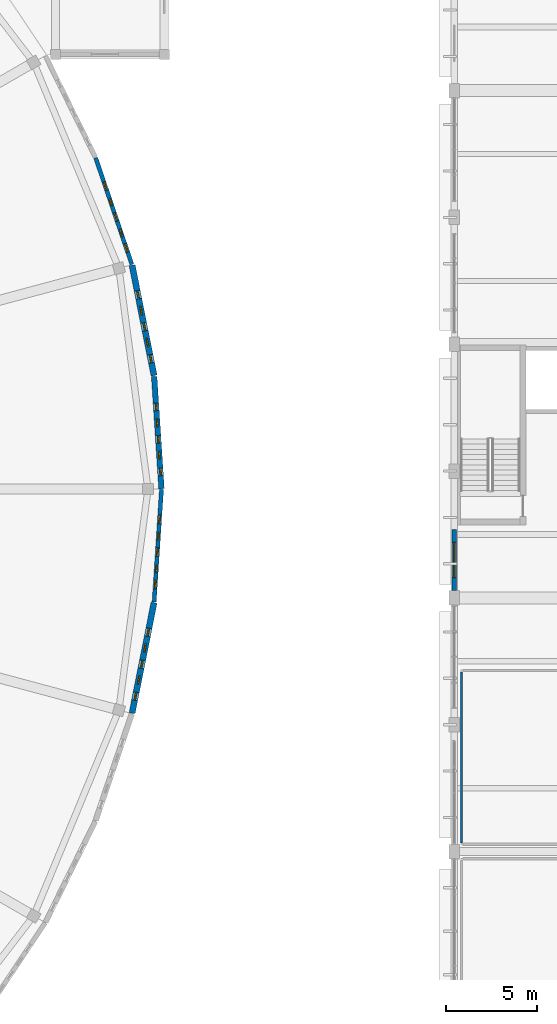
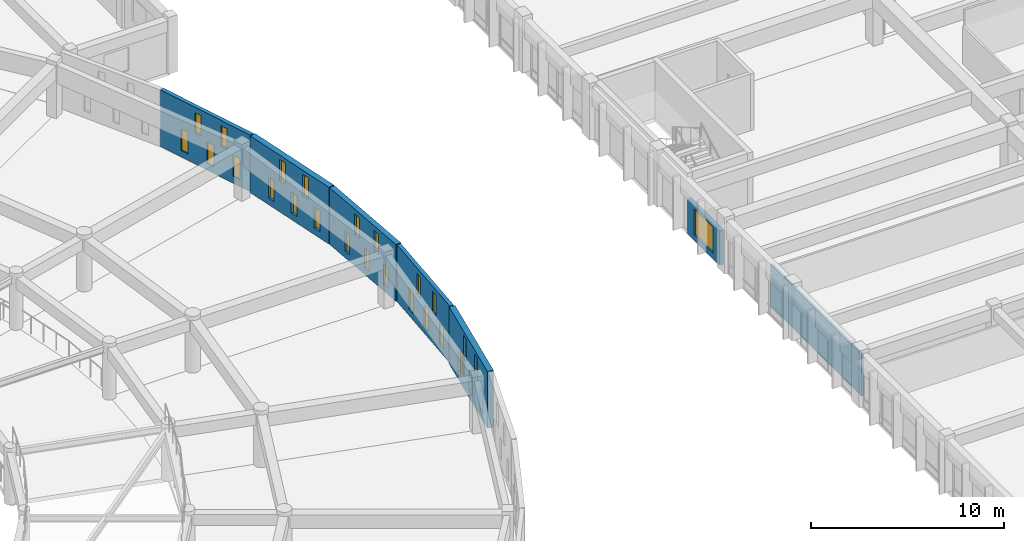
# One storey, part 112 of 155: 26 windows, 7 walls, 26 openings.
"""IFC4 building model written with IfcOpenShell, lengths in metres."""

import ifcopenshell
import ifcopenshell.guid

model = None  # the IFC model being written
_history = None  # IfcOwnerHistory: only IFC2X3 demands one
_inside = {}  # id of a spatial element -> (the spatial element, [elements in it])
_under = {}  # id of a project, library or spatial element -> (it, [spatial elements below it])
_declared = {}  # id of a project -> (the project, [libraries it declares])
_typed = {}  # id of a type object -> (the type object, [elements of that type])
_made_of = {}  # id of a material, layer set ... -> (it, [elements and type objects made of it])


def new_model(schema):
    """Start an empty IFC model of exactly this schema.

    Asked for "IFC4X3", IfcOpenShell would pick the latest addendum, in which some entities
    have other attributes; the version numbers below select the first issue.
    IFC2X3 requires an IfcOwnerHistory on every rooted entity: one is made here for all.
    """
    global model, _history
    if schema == "IFC4X3":
        model = ifcopenshell.file(schema_version=(4, 3, 0, 0))
    else:
        model = ifcopenshell.file(schema=schema)
    _inside.clear()
    _under.clear()
    _declared.clear()
    _typed.clear()
    _made_of.clear()
    _history = None
    if model.schema == "IFC2X3":
        org = make("IfcOrganization", Name="unknown")
        user = make(
            "IfcPersonAndOrganization",
            ThePerson=make("IfcPerson", FamilyName="unknown"),
            TheOrganization=org,
        )
        app = make(
            "IfcApplication",
            ApplicationDeveloper=org,
            Version="unknown",
            ApplicationFullName="unknown",
            ApplicationIdentifier="unknown",
        )
        _history = make(
            "IfcOwnerHistory",
            OwningUser=user,
            OwningApplication=app,
            ChangeAction="ADDED",
            CreationDate=0,
        )
    return model


def make(cls, **values):
    """One entity of the class cls with the attributes given. An attribute that is None is left unset."""
    return model.create_entity(
        cls, **{name: value for name, value in values.items() if value is not None}
    )


def rooted(cls, **values):
    """An entity with a GlobalId (a new one), such as an element, a storey or a relation."""
    return make(cls, GlobalId=ifcopenshell.guid.new(), OwnerHistory=_history, **values)


def si_unit(unit_type, name, prefix=None):
    """IfcSIUnit, for example si_unit("LENGTHUNIT", "METRE", prefix="MILLI")."""
    return make("IfcSIUnit", UnitType=unit_type, Prefix=prefix, Name=name)


def assignment(units):
    """IfcUnitAssignment: the units of a project."""
    return None if units is None else make("IfcUnitAssignment", Units=units)


def point(xyz):
    """IfcCartesianPoint."""
    return None if xyz is None else make("IfcCartesianPoint", Coordinates=xyz)


def direction(xyz):
    """IfcDirection."""
    return None if xyz is None else make("IfcDirection", DirectionRatios=xyz)


def frame(location, z_axis=None, x_axis=None):
    """IfcAxis2Placement3D, a coordinate frame: its origin and axes. An axis left out is left unset."""
    return make(
        "IfcAxis2Placement3D",
        Location=point(location),
        Axis=direction(z_axis),
        RefDirection=direction(x_axis),
    )


def frame_2d(location, x_axis=None):
    """IfcAxis2Placement2D, a coordinate frame in the plane: its origin and x axis."""
    return make(
        "IfcAxis2Placement2D", Location=point(location), RefDirection=direction(x_axis)
    )


def origin():
    """The frame at (0, 0, 0) with its axes left unset."""
    return frame((0.0, 0.0, 0.0))


def place(relative_to, where):
    """IfcLocalPlacement: puts the frame where relative to a parent placement (None: the world)."""
    return make(
        "IfcLocalPlacement", PlacementRelTo=relative_to, RelativePlacement=where
    )


def context(
    kind, dimensions, precision=None, world=None, true_north=None, identifier=None
):
    """IfcGeometricRepresentationContext, for example the 3D "Model" context."""
    return make(
        "IfcGeometricRepresentationContext",
        ContextIdentifier=identifier,
        ContextType=kind,
        CoordinateSpaceDimension=dimensions,
        Precision=precision,
        WorldCoordinateSystem=world,
        TrueNorth=true_north,
    )


def subcontext(parent, identifier, kind, view, scale=None):
    """IfcGeometricRepresentationSubContext, for example "Body" below "Model"."""
    return make(
        "IfcGeometricRepresentationSubContext",
        ContextIdentifier=identifier,
        ContextType=kind,
        ParentContext=parent,
        TargetScale=scale,
        TargetView=view,
    )


def project(units=None, contexts=None):
    """IfcProject with its units and contexts."""
    return rooted(
        "IfcProject",
        Name="project",
        RepresentationContexts=contexts,
        UnitsInContext=assignment(units),
    )


def spatial(cls, under=None, at=None, **own):
    """A site, building, storey or space (cls), placed at a placement, below another one or the project."""
    s = rooted(cls, ObjectPlacement=at, **own)
    if under is not None:
        _under.setdefault(under.id(), (under, []))[1].append(s)
    return s


def profile(cls, at=None, kind="AREA", **sizes):
    """A parametric profile (cls). Its sizes go by their IFC names, for example OverallWidth=200.0."""
    return make(cls, ProfileType=kind, Position=at, **sizes)


def rectangle(**sizes):
    """IfcRectangleProfileDef."""
    return profile("IfcRectangleProfileDef", **sizes)


def extrude(swept, where, along, depth):
    """IfcExtrudedAreaSolid: the profile swept, set in the frame where, extruded along a direction by depth."""
    return make(
        "IfcExtrudedAreaSolid",
        SweptArea=swept,
        Position=where,
        ExtrudedDirection=direction(along),
        Depth=depth,
    )


def shape(context_of_items, identifier, shape_type, items):
    """IfcShapeRepresentation: the items that make up one representation, for example the "Body"."""
    return make(
        "IfcShapeRepresentation",
        ContextOfItems=context_of_items,
        RepresentationIdentifier=identifier,
        RepresentationType=shape_type,
        Items=items,
    )


def material(Name=None, Category=None):
    """IfcMaterial."""
    return make("IfcMaterial", Name=Name, Category=Category)


def layer(
    of_material, thickness, ventilated=None, Name=None, Category=None, Priority=None
):
    """IfcMaterialLayer: one layer of a wall or slab, of a material (None: an air gap)."""
    return make(
        "IfcMaterialLayer",
        Material=of_material,
        LayerThickness=thickness,
        IsVentilated=ventilated,
        Name=Name,
        Category=Category,
        Priority=Priority,
    )


def layer_set(layers, Name=None):
    """IfcMaterialLayerSet."""
    return make("IfcMaterialLayerSet", MaterialLayers=layers, LayerSetName=Name)


def made_of(thing, what):
    """Note that an element or type object is made of a material, layer set ...; save() writes the relation."""
    if what is not None:
        _made_of.setdefault(what.id(), (what, []))[1].append(thing)
    return thing


def type_object(cls, material=None, **own):
    """A type object (cls), such as IfcWallType, which elements share."""
    return made_of(rooted(cls, **own), material)


def element(
    cls,
    number,
    at=None,
    inside=None,
    cuts=None,
    type_object=None,
    material=None,
    context=None,
    identifier="Body",
    shape_type=None,
    held_by="IfcProductDefinitionShape",
    body=None,
    shapes=None,
    **own,
):
    """One element of the class cls, such as IfcWall. Its Tag is "e" and its number.

    at: its placement. inside: the storey or other place that contains it. cuts: it is an
    opening in that element (IfcRelVoidsElement). A single representation is given by context,
    identifier, shape_type and body (its items); several are given by shapes. held_by: the class
    of the entity that holds the representations. save() writes the other relations.
    """
    e = rooted(cls, Tag="e%d" % number, ObjectPlacement=at, **own)
    if body is not None:
        shapes = [shape(context, identifier, shape_type, body)]
    if shapes is not None:
        e.Representation = make(held_by, Representations=shapes)
    if inside is not None:
        _inside.setdefault(inside.id(), (inside, []))[1].append(e)
    if cuts is not None:
        rooted(
            "IfcRelVoidsElement", RelatingBuildingElement=cuts, RelatedOpeningElement=e
        )
    if type_object is not None:
        _typed.setdefault(type_object.id(), (type_object, []))[1].append(e)
    return made_of(e, material)


def fill(opening, filler):
    """IfcRelFillsElement: the door or window that sits in an opening."""
    return rooted(
        "IfcRelFillsElement",
        RelatingOpeningElement=opening,
        RelatedBuildingElement=filler,
    )


def aggregate(whole, parts):
    """IfcRelAggregates: a whole, such as a stair, and the parts it consists of."""
    return rooted("IfcRelAggregates", RelatingObject=whole, RelatedObjects=parts)


def save(model, path):
    """Write the relations noted so far, then the file.

    IfcRelAggregates (storeys below a building ...), IfcRelContainedInSpatialStructure (elements
    in a storey), IfcRelDefinesByType, IfcRelAssociatesMaterial and IfcRelDeclares: one each for
    every whole, place, type object, material and project.
    """
    for whole, parts in _under.values():
        aggregate(whole, parts)
    for where, things in _inside.values():
        rooted(
            "IfcRelContainedInSpatialStructure",
            RelatedElements=things,
            RelatingStructure=where,
        )
    for kind, things in _typed.values():
        rooted("IfcRelDefinesByType", RelatedObjects=things, RelatingType=kind)
    for what, things in _made_of.values():
        rooted("IfcRelAssociatesMaterial", RelatedObjects=things, RelatingMaterial=what)
    for by, libraries in _declared.values():
        rooted("IfcRelDeclares", RelatingContext=by, RelatedDefinitions=libraries)
    model.write(path)


model = new_model("IFC4")

# Units and contexts
model_context = context("Model", 3, precision=1e-05, world=origin(), true_north=direction((0.0, 1.0)))
body_context = subcontext(model_context, "Body", "Model", "MODEL_VIEW")
ifc_project = project(units=[si_unit("LENGTHUNIT", "METRE"), si_unit("AREAUNIT", "SQUARE_METRE"), si_unit("VOLUMEUNIT", "CUBIC_METRE"), si_unit("PLANEANGLEUNIT", "RADIAN"), si_unit("MASSUNIT", "GRAM", prefix="KILO")], contexts=[model_context])

# Site, building, storey
site_placement = place(None, origin())
site = spatial("IfcSite", under=ifc_project, at=site_placement, CompositionType="ELEMENT")
building_placement = place(site_placement, origin())
building = spatial("IfcBuilding", under=site, at=building_placement, Name="Larkveld Mobility Hub", CompositionType="ELEMENT")
storey_placement = place(building_placement, frame((0.0, 0.0, 8.39990234375)))
storey = spatial("IfcBuildingStorey", under=building, at=storey_placement, Name="L02", CompositionType="ELEMENT", Elevation=8.39990234375)

# Wall, openings, windows
ifc_material_1 = material(Name="Fired clay brick 25 MPa", Category="masonry")
ifc_layer_1 = layer(ifc_material_1, 0.22998046875, Name="Fired clay brick 25 MPa", Category="masonry")
ifc_layer_set_1 = layer_set([ifc_layer_1], Name="Fired clay brick 25 MPa")
wall_type_1 = type_object("IfcWallType", Name="WL-BRK-230", PredefinedType="USERDEFINED", material=ifc_layer_set_1)
wall_1_placement = place(storey_placement, frame((94.2119140625, 60.406982421875, 0.0), z_axis=(0.0, 0.0, 1.0), x_axis=(-0.321364960579, 0.946955417172, 0.0)))
wall_1 = element("IfcWall", 1, at=wall_1_placement, inside=storey, type_object=wall_type_1, Name="Drum Woven Open-Bond Brick Chord L02-0095", ObjectType="PERFORATED BRICK SCREEN", PredefinedType="USERDEFINED", context=body_context, shape_type="SweptSolid", body=[
    extrude(rectangle(XDim=6.21044921875, YDim=0.22998046875, at=frame_2d((3.105224609375, 0.0))), origin(), (0.0, 0.0, 1.0), 3.60009765625),
])
opening_1_placement = place(wall_1_placement, frame((0.719970703125, 0.0, 0.419921875)))
opening_1 = element("IfcOpeningElement", 2, at=opening_1_placement, cuts=wall_1, Name="Opening W03", PredefinedType="OPENING", context=body_context, shape_type="SweptSolid", body=[
    extrude(rectangle(XDim=0.47998046875, YDim=1.360107421875, at=frame_2d((0.239990234375, 0.68017578125))), frame((0.0, 0.125, 0.0), z_axis=(0.0, -1.0, 0.0), x_axis=(1.0, 0.0, 0.0)), (0.0, 0.0, 1.0), 0.25),
])
opening_2_placement = place(wall_1_placement, frame((2.52001953125, 0.0, 0.419921875)))
opening_2 = element("IfcOpeningElement", 3, at=opening_2_placement, cuts=wall_1, Name="Opening W03", PredefinedType="OPENING", context=body_context, shape_type="SweptSolid", body=[
    extrude(rectangle(XDim=0.47998046875, YDim=1.360107421875, at=frame_2d((0.239990234375, 0.68017578125))), frame((0.0, 0.125, 0.0), z_axis=(0.0, -1.0, 0.0), x_axis=(1.0, 0.0, 0.0)), (0.0, 0.0, 1.0), 0.25),
])
opening_3_placement = place(wall_1_placement, frame((4.320068359375, 0.0, 0.419921875)))
opening_3 = element("IfcOpeningElement", 4, at=opening_3_placement, cuts=wall_1, Name="Opening W03", PredefinedType="OPENING", context=body_context, shape_type="SweptSolid", body=[
    extrude(rectangle(XDim=0.47998046875, YDim=1.360107421875, at=frame_2d((0.239990234375, 0.68017578125))), frame((0.0, 0.125, 0.0), z_axis=(0.0, -1.0, 0.0), x_axis=(1.0, 0.0, 0.0)), (0.0, 0.0, 1.0), 0.25),
])
opening_4_placement = place(wall_1_placement, frame((1.6201171875, 0.0, 1.97998046875)))
opening_4 = element("IfcOpeningElement", 5, at=opening_4_placement, cuts=wall_1, Name="Opening W01", PredefinedType="OPENING", context=body_context, shape_type="SweptSolid", body=[
    extrude(rectangle(XDim=0.419921875, YDim=1.280029296875, at=frame_2d((0.2099609375, 0.64013671875))), frame((0.0, 0.125, 0.0), z_axis=(0.0, -1.0, 0.0), x_axis=(1.0, 0.0, 0.0)), (0.0, 0.0, 1.0), 0.25),
])
opening_5_placement = place(wall_1_placement, frame((3.419921875, 0.0, 1.97998046875)))
opening_5 = element("IfcOpeningElement", 6, at=opening_5_placement, cuts=wall_1, Name="Opening W01", PredefinedType="OPENING", context=body_context, shape_type="SweptSolid", body=[
    extrude(rectangle(XDim=0.419921875, YDim=1.280029296875, at=frame_2d((0.2099609375, 0.64013671875))), frame((0.0, 0.125, 0.0), z_axis=(0.0, -1.0, 0.0), x_axis=(1.0, 0.0, 0.0)), (0.0, 0.0, 1.0), 0.25),
])
ifc_material_2 = material(Name="Extruded aluminium ventilation grille", Category="aluminium")
window_type_1 = type_object("IfcWindowType", Name="WN-VENT-01", PartitioningType="SINGLE_PANEL", PredefinedType="WINDOW", material=ifc_material_2)
window_1_placement = place(opening_4_placement, origin())
window_1 = element("IfcWindow", 7, at=window_1_placement, inside=storey, type_object=window_type_1, Name="Window W01 (0464)", OverallHeight=1.280029296875, OverallWidth=0.419921875, PartitioningType="SINGLE_PANEL", PredefinedType="WINDOW", context=body_context, shape_type="SweptSolid", body=[
    extrude(rectangle(XDim=0.419921875, YDim=1.280029296875, at=frame_2d((0.2099609375, 0.64013671875))), frame((0.0, 0.030029296875, 0.0), z_axis=(0.0, -1.0, 0.0), x_axis=(1.0, 0.0, 0.0)), (0.0, 0.0, 1.0), 0.06005859375),
])
fill(opening_4, window_1)
window_2_placement = place(opening_5_placement, origin())
window_2 = element("IfcWindow", 8, at=window_2_placement, inside=storey, type_object=window_type_1, Name="Window W01 (0465)", OverallHeight=1.280029296875, OverallWidth=0.419921875, PartitioningType="SINGLE_PANEL", PredefinedType="WINDOW", context=body_context, shape_type="SweptSolid", body=[
    extrude(rectangle(XDim=0.419921875, YDim=1.280029296875, at=frame_2d((0.2099609375, 0.64013671875))), frame((0.0, 0.030029296875, 0.0), z_axis=(0.0, -1.0, 0.0), x_axis=(1.0, 0.0, 0.0)), (0.0, 0.0, 1.0), 0.06005859375),
])
fill(opening_5, window_2)
window_type_2 = type_object("IfcWindowType", Name="WN-VENT-03", PartitioningType="SINGLE_PANEL", PredefinedType="WINDOW", material=ifc_material_2)
window_3_placement = place(opening_1_placement, origin())
window_3 = element("IfcWindow", 9, at=window_3_placement, inside=storey, type_object=window_type_2, Name="Window W03 (0461)", OverallHeight=1.360107421875, OverallWidth=0.47998046875, PartitioningType="SINGLE_PANEL", PredefinedType="WINDOW", context=body_context, shape_type="SweptSolid", body=[
    extrude(rectangle(XDim=0.47998046875, YDim=1.360107421875, at=frame_2d((0.239990234375, 0.68017578125))), frame((0.0, 0.030029296875, 0.0), z_axis=(0.0, -1.0, 0.0), x_axis=(1.0, 0.0, 0.0)), (0.0, 0.0, 1.0), 0.06005859375),
])
fill(opening_1, window_3)
window_4_placement = place(opening_2_placement, origin())
window_4 = element("IfcWindow", 10, at=window_4_placement, inside=storey, type_object=window_type_2, Name="Window W03 (0462)", OverallHeight=1.360107421875, OverallWidth=0.47998046875, PartitioningType="SINGLE_PANEL", PredefinedType="WINDOW", context=body_context, shape_type="SweptSolid", body=[
    extrude(rectangle(XDim=0.47998046875, YDim=1.360107421875, at=frame_2d((0.239990234375, 0.68017578125))), frame((0.0, 0.030029296875, 0.0), z_axis=(0.0, -1.0, 0.0), x_axis=(1.0, 0.0, 0.0)), (0.0, 0.0, 1.0), 0.06005859375),
])
fill(opening_2, window_4)
window_5_placement = place(opening_3_placement, origin())
window_5 = element("IfcWindow", 11, at=window_5_placement, inside=storey, type_object=window_type_2, Name="Window W03 (0463)", OverallHeight=1.360107421875, OverallWidth=0.47998046875, PartitioningType="SINGLE_PANEL", PredefinedType="WINDOW", context=body_context, shape_type="SweptSolid", body=[
    extrude(rectangle(XDim=0.47998046875, YDim=1.360107421875, at=frame_2d((0.239990234375, 0.68017578125))), frame((0.0, 0.030029296875, 0.0), z_axis=(0.0, -1.0, 0.0), x_axis=(1.0, 0.0, 0.0)), (0.0, 0.0, 1.0), 0.06005859375),
])
fill(opening_3, window_5)

wall_2_placement = place(storey_placement, frame((95.443115234375, 41.778076171875, 0.0), z_axis=(0.0, 0.0, 1.0), x_axis=(0.065170180182, 0.997874164219, 0.0)))
wall_2 = element("IfcWall", 12, at=wall_2_placement, inside=storey, type_object=wall_type_1, Name="Drum Woven Open-Bond Brick Chord L02-0138", ObjectType="PERFORATED BRICK SCREEN", PredefinedType="USERDEFINED", context=body_context, shape_type="SweptSolid", body=[
    extrude(rectangle(XDim=6.211181640625, YDim=0.22998046875, at=frame_2d((3.10546875, 0.0))), origin(), (0.0, 0.0, 1.0), 3.60009765625),
])
opening_6_placement = place(wall_2_placement, frame((0.719970703125, 0.0, 0.419921875)))
opening_6 = element("IfcOpeningElement", 13, at=opening_6_placement, cuts=wall_2, Name="Opening W03", PredefinedType="OPENING", context=body_context, shape_type="SweptSolid", body=[
    extrude(rectangle(XDim=0.47998046875, YDim=1.360107421875, at=frame_2d((0.239990234375, 0.68017578125))), frame((0.0, 0.125, 0.0), z_axis=(0.0, -1.0, 0.0), x_axis=(1.0, 0.0, 0.0)), (0.0, 0.0, 1.0), 0.25),
])
opening_7_placement = place(wall_2_placement, frame((2.52001953125, 0.0, 0.419921875)))
opening_7 = element("IfcOpeningElement", 14, at=opening_7_placement, cuts=wall_2, Name="Opening W03", PredefinedType="OPENING", context=body_context, shape_type="SweptSolid", body=[
    extrude(rectangle(XDim=0.47998046875, YDim=1.360107421875, at=frame_2d((0.239990234375, 0.68017578125))), frame((0.0, 0.125, 0.0), z_axis=(0.0, -1.0, 0.0), x_axis=(1.0, 0.0, 0.0)), (0.0, 0.0, 1.0), 0.25),
])
opening_8_placement = place(wall_2_placement, frame((4.320068359375, 0.0, 0.419921875)))
opening_8 = element("IfcOpeningElement", 15, at=opening_8_placement, cuts=wall_2, Name="Opening W03", PredefinedType="OPENING", context=body_context, shape_type="SweptSolid", body=[
    extrude(rectangle(XDim=0.47998046875, YDim=1.360107421875, at=frame_2d((0.239990234375, 0.68017578125))), frame((0.0, 0.125, 0.0), z_axis=(0.0, -1.0, 0.0), x_axis=(1.0, 0.0, 0.0)), (0.0, 0.0, 1.0), 0.25),
])
opening_9_placement = place(wall_2_placement, frame((1.6201171875, 0.0, 1.97998046875)))
opening_9 = element("IfcOpeningElement", 16, at=opening_9_placement, cuts=wall_2, Name="Opening W01", PredefinedType="OPENING", context=body_context, shape_type="SweptSolid", body=[
    extrude(rectangle(XDim=0.419921875, YDim=1.280029296875, at=frame_2d((0.2099609375, 0.64013671875))), frame((0.0, 0.125, 0.0), z_axis=(0.0, -1.0, 0.0), x_axis=(1.0, 0.0, 0.0)), (0.0, 0.0, 1.0), 0.25),
])
opening_10_placement = place(wall_2_placement, frame((3.419921875, 0.0, 1.97998046875)))
opening_10 = element("IfcOpeningElement", 17, at=opening_10_placement, cuts=wall_2, Name="Opening W01", PredefinedType="OPENING", context=body_context, shape_type="SweptSolid", body=[
    extrude(rectangle(XDim=0.419921875, YDim=1.280029296875, at=frame_2d((0.2099609375, 0.64013671875))), frame((0.0, 0.125, 0.0), z_axis=(0.0, -1.0, 0.0), x_axis=(1.0, 0.0, 0.0)), (0.0, 0.0, 1.0), 0.25),
])
window_6_placement = place(opening_9_placement, origin())
window_6 = element("IfcWindow", 18, at=window_6_placement, inside=storey, type_object=window_type_1, Name="Window W01 (0679)", OverallHeight=1.280029296875, OverallWidth=0.419921875, PartitioningType="SINGLE_PANEL", PredefinedType="WINDOW", context=body_context, shape_type="SweptSolid", body=[
    extrude(rectangle(XDim=0.419921875, YDim=1.280029296875, at=frame_2d((0.2099609375, 0.64013671875))), frame((0.0, 0.030029296875, 0.0), z_axis=(0.0, -1.0, 0.0), x_axis=(1.0, 0.0, 0.0)), (0.0, 0.0, 1.0), 0.06005859375),
])
fill(opening_9, window_6)
window_7_placement = place(opening_10_placement, origin())
window_7 = element("IfcWindow", 19, at=window_7_placement, inside=storey, type_object=window_type_1, Name="Window W01 (0680)", OverallHeight=1.280029296875, OverallWidth=0.419921875, PartitioningType="SINGLE_PANEL", PredefinedType="WINDOW", context=body_context, shape_type="SweptSolid", body=[
    extrude(rectangle(XDim=0.419921875, YDim=1.280029296875, at=frame_2d((0.2099609375, 0.64013671875))), frame((0.0, 0.030029296875, 0.0), z_axis=(0.0, -1.0, 0.0), x_axis=(1.0, 0.0, 0.0)), (0.0, 0.0, 1.0), 0.06005859375),
])
fill(opening_10, window_7)
window_8_placement = place(opening_6_placement, origin())
window_8 = element("IfcWindow", 20, at=window_8_placement, inside=storey, type_object=window_type_2, Name="Window W03 (0676)", OverallHeight=1.360107421875, OverallWidth=0.47998046875, PartitioningType="SINGLE_PANEL", PredefinedType="WINDOW", context=body_context, shape_type="SweptSolid", body=[
    extrude(rectangle(XDim=0.47998046875, YDim=1.360107421875, at=frame_2d((0.239990234375, 0.68017578125))), frame((0.0, 0.030029296875, 0.0), z_axis=(0.0, -1.0, 0.0), x_axis=(1.0, 0.0, 0.0)), (0.0, 0.0, 1.0), 0.06005859375),
])
fill(opening_6, window_8)
window_9_placement = place(opening_7_placement, origin())
window_9 = element("IfcWindow", 21, at=window_9_placement, inside=storey, type_object=window_type_2, Name="Window W03 (0677)", OverallHeight=1.360107421875, OverallWidth=0.47998046875, PartitioningType="SINGLE_PANEL", PredefinedType="WINDOW", context=body_context, shape_type="SweptSolid", body=[
    extrude(rectangle(XDim=0.47998046875, YDim=1.360107421875, at=frame_2d((0.239990234375, 0.68017578125))), frame((0.0, 0.030029296875, 0.0), z_axis=(0.0, -1.0, 0.0), x_axis=(1.0, 0.0, 0.0)), (0.0, 0.0, 1.0), 0.06005859375),
])
fill(opening_7, window_9)
window_10_placement = place(opening_8_placement, origin())
window_10 = element("IfcWindow", 22, at=window_10_placement, inside=storey, type_object=window_type_2, Name="Window W03 (0678)", OverallHeight=1.360107421875, OverallWidth=0.47998046875, PartitioningType="SINGLE_PANEL", PredefinedType="WINDOW", context=body_context, shape_type="SweptSolid", body=[
    extrude(rectangle(XDim=0.47998046875, YDim=1.360107421875, at=frame_2d((0.239990234375, 0.68017578125))), frame((0.0, 0.030029296875, 0.0), z_axis=(0.0, -1.0, 0.0), x_axis=(1.0, 0.0, 0.0)), (0.0, 0.0, 1.0), 0.06005859375),
])
fill(opening_8, window_10)

ifc_layer_2 = layer(ifc_material_1, 0.31005859375, Name="Fired clay brick 25 MPa", Category="masonry")
ifc_layer_set_2 = layer_set([ifc_layer_2], Name="Fired clay brick 25 MPa")
wall_type_2 = type_object("IfcWallType", Name="WL-BRK-310", PredefinedType="USERDEFINED", material=ifc_layer_set_2)
wall_3_placement = place(storey_placement, frame((95.847900390625, 48.02392578125, 0.0), z_axis=(0.0, 0.0, 1.0), x_axis=(-0.065170180182, 0.997874164219, 0.0)))
wall_3 = element("IfcWall", 23, at=wall_3_placement, inside=storey, type_object=wall_type_2, Name="Drum Woven Open-Bond Brick Chord L02-0093", ObjectType="PERFORATED BRICK SCREEN", PredefinedType="USERDEFINED", context=body_context, shape_type="SweptSolid", body=[
    extrude(rectangle(XDim=6.211181640625, YDim=0.31005859375, at=frame_2d((3.10546875, 0.0))), origin(), (0.0, 0.0, 1.0), 3.60009765625),
])
opening_11_placement = place(wall_3_placement, frame((0.719970703125, 0.0, 0.419921875)))
opening_11 = element("IfcOpeningElement", 24, at=opening_11_placement, cuts=wall_3, Name="Opening W01", PredefinedType="OPENING", context=body_context, shape_type="SweptSolid", body=[
    extrude(rectangle(XDim=0.419921875, YDim=1.280029296875, at=frame_2d((0.2099609375, 0.64013671875))), frame((0.0, 0.1650390625, 0.0), z_axis=(0.0, -1.0, 0.0), x_axis=(1.0, 0.0, 0.0)), (0.0, 0.0, 1.0), 0.330078125),
])
opening_12_placement = place(wall_3_placement, frame((2.52001953125, 0.0, 0.419921875)))
opening_12 = element("IfcOpeningElement", 25, at=opening_12_placement, cuts=wall_3, Name="Opening W01", PredefinedType="OPENING", context=body_context, shape_type="SweptSolid", body=[
    extrude(rectangle(XDim=0.419921875, YDim=1.280029296875, at=frame_2d((0.2099609375, 0.64013671875))), frame((0.0, 0.1650390625, 0.0), z_axis=(0.0, -1.0, 0.0), x_axis=(1.0, 0.0, 0.0)), (0.0, 0.0, 1.0), 0.330078125),
])
opening_13_placement = place(wall_3_placement, frame((4.320068359375, 0.0, 0.419921875)))
opening_13 = element("IfcOpeningElement", 26, at=opening_13_placement, cuts=wall_3, Name="Opening W01", PredefinedType="OPENING", context=body_context, shape_type="SweptSolid", body=[
    extrude(rectangle(XDim=0.419921875, YDim=1.280029296875, at=frame_2d((0.2099609375, 0.64013671875))), frame((0.0, 0.1650390625, 0.0), z_axis=(0.0, -1.0, 0.0), x_axis=(1.0, 0.0, 0.0)), (0.0, 0.0, 1.0), 0.330078125),
])
opening_14_placement = place(wall_3_placement, frame((1.6201171875, 0.0, 1.97998046875)))
opening_14 = element("IfcOpeningElement", 27, at=opening_14_placement, cuts=wall_3, Name="Opening W02", PredefinedType="OPENING", context=body_context, shape_type="SweptSolid", body=[
    extrude(rectangle(XDim=0.449951171875, YDim=1.320068359375, at=frame_2d((0.22509765625, 0.66015625))), frame((0.0, 0.1650390625, 0.0), z_axis=(0.0, -1.0, 0.0), x_axis=(1.0, 0.0, 0.0)), (0.0, 0.0, 1.0), 0.330078125),
])
opening_15_placement = place(wall_3_placement, frame((3.419921875, 0.0, 1.97998046875)))
opening_15 = element("IfcOpeningElement", 28, at=opening_15_placement, cuts=wall_3, Name="Opening W02", PredefinedType="OPENING", context=body_context, shape_type="SweptSolid", body=[
    extrude(rectangle(XDim=0.449951171875, YDim=1.320068359375, at=frame_2d((0.22509765625, 0.66015625))), frame((0.0, 0.1650390625, 0.0), z_axis=(0.0, -1.0, 0.0), x_axis=(1.0, 0.0, 0.0)), (0.0, 0.0, 1.0), 0.330078125),
])
window_11_placement = place(opening_11_placement, origin())
window_11 = element("IfcWindow", 29, at=window_11_placement, inside=storey, type_object=window_type_1, Name="Window W01 (0451)", OverallHeight=1.280029296875, OverallWidth=0.419921875, PartitioningType="SINGLE_PANEL", PredefinedType="WINDOW", context=body_context, shape_type="SweptSolid", body=[
    extrude(rectangle(XDim=0.419921875, YDim=1.280029296875, at=frame_2d((0.2099609375, 0.64013671875))), frame((0.0, 0.030029296875, 0.0), z_axis=(0.0, -1.0, 0.0), x_axis=(1.0, 0.0, 0.0)), (0.0, 0.0, 1.0), 0.06005859375),
])
fill(opening_11, window_11)
window_12_placement = place(opening_12_placement, origin())
window_12 = element("IfcWindow", 30, at=window_12_placement, inside=storey, type_object=window_type_1, Name="Window W01 (0452)", OverallHeight=1.280029296875, OverallWidth=0.419921875, PartitioningType="SINGLE_PANEL", PredefinedType="WINDOW", context=body_context, shape_type="SweptSolid", body=[
    extrude(rectangle(XDim=0.419921875, YDim=1.280029296875, at=frame_2d((0.2099609375, 0.64013671875))), frame((0.0, 0.030029296875, 0.0), z_axis=(0.0, -1.0, 0.0), x_axis=(1.0, 0.0, 0.0)), (0.0, 0.0, 1.0), 0.06005859375),
])
fill(opening_12, window_12)
window_13_placement = place(opening_13_placement, origin())
window_13 = element("IfcWindow", 31, at=window_13_placement, inside=storey, type_object=window_type_1, Name="Window W01 (0453)", OverallHeight=1.280029296875, OverallWidth=0.419921875, PartitioningType="SINGLE_PANEL", PredefinedType="WINDOW", context=body_context, shape_type="SweptSolid", body=[
    extrude(rectangle(XDim=0.419921875, YDim=1.280029296875, at=frame_2d((0.2099609375, 0.64013671875))), frame((0.0, 0.030029296875, 0.0), z_axis=(0.0, -1.0, 0.0), x_axis=(1.0, 0.0, 0.0)), (0.0, 0.0, 1.0), 0.06005859375),
])
fill(opening_13, window_13)
window_type_3 = type_object("IfcWindowType", Name="WN-VENT-02", PartitioningType="SINGLE_PANEL", PredefinedType="WINDOW", material=ifc_material_2)
window_14_placement = place(opening_14_placement, origin())
window_14 = element("IfcWindow", 32, at=window_14_placement, inside=storey, type_object=window_type_3, Name="Window W02 (0454)", OverallHeight=1.320068359375, OverallWidth=0.449951171875, PartitioningType="SINGLE_PANEL", PredefinedType="WINDOW", context=body_context, shape_type="SweptSolid", body=[
    extrude(rectangle(XDim=0.449951171875, YDim=1.320068359375, at=frame_2d((0.22509765625, 0.66015625))), frame((0.0, 0.030029296875, 0.0), z_axis=(0.0, -1.0, 0.0), x_axis=(1.0, 0.0, 0.0)), (0.0, 0.0, 1.0), 0.06005859375),
])
fill(opening_14, window_14)
window_15_placement = place(opening_15_placement, origin())
window_15 = element("IfcWindow", 33, at=window_15_placement, inside=storey, type_object=window_type_3, Name="Window W02 (0455)", OverallHeight=1.320068359375, OverallWidth=0.449951171875, PartitioningType="SINGLE_PANEL", PredefinedType="WINDOW", context=body_context, shape_type="SweptSolid", body=[
    extrude(rectangle(XDim=0.449951171875, YDim=1.320068359375, at=frame_2d((0.22509765625, 0.66015625))), frame((0.0, 0.030029296875, 0.0), z_axis=(0.0, -1.0, 0.0), x_axis=(1.0, 0.0, 0.0)), (0.0, 0.0, 1.0), 0.06005859375),
])
fill(opening_15, window_15)

ifc_layer_3 = layer(ifc_material_1, 0.340087890625, Name="Fired clay brick 25 MPa", Category="masonry")
ifc_layer_set_3 = layer_set([ifc_layer_3], Name="Fired clay brick 25 MPa")
wall_type_3 = type_object("IfcWallType", Name="WL-BRK-340", PredefinedType="USERDEFINED", material=ifc_layer_set_3)
wall_4_placement = place(storey_placement, frame((95.43603515625, 54.27001953125, 0.0), z_axis=(0.0, 0.0, 1.0), x_axis=(-0.195019632022, 0.980799338869, 0.0)))
wall_4 = element("IfcWall", 34, at=wall_4_placement, inside=storey, type_object=wall_type_3, Name="Drum Woven Open-Bond Brick Chord L02-0094", ObjectType="PERFORATED BRICK SCREEN", PredefinedType="USERDEFINED", context=body_context, shape_type="SweptSolid", body=[
    extrude(rectangle(XDim=6.209228515625, YDim=0.340087890625, at=frame_2d((3.1044921875, 0.0))), origin(), (0.0, 0.0, 1.0), 3.60009765625),
])
opening_16_placement = place(wall_4_placement, frame((0.719970703125, 0.0, 0.419921875)))
opening_16 = element("IfcOpeningElement", 35, at=opening_16_placement, cuts=wall_4, Name="Opening W02", PredefinedType="OPENING", context=body_context, shape_type="SweptSolid", body=[
    extrude(rectangle(XDim=0.449951171875, YDim=1.320068359375, at=frame_2d((0.22509765625, 0.66015625))), frame((0.0, 0.18017578125, 0.0), z_axis=(0.0, -1.0, 0.0), x_axis=(1.0, 0.0, 0.0)), (0.0, 0.0, 1.0), 0.360107421875),
])
opening_17_placement = place(wall_4_placement, frame((2.52001953125, 0.0, 0.419921875)))
opening_17 = element("IfcOpeningElement", 36, at=opening_17_placement, cuts=wall_4, Name="Opening W02", PredefinedType="OPENING", context=body_context, shape_type="SweptSolid", body=[
    extrude(rectangle(XDim=0.449951171875, YDim=1.320068359375, at=frame_2d((0.22509765625, 0.66015625))), frame((0.0, 0.18017578125, 0.0), z_axis=(0.0, -1.0, 0.0), x_axis=(1.0, 0.0, 0.0)), (0.0, 0.0, 1.0), 0.360107421875),
])
opening_18_placement = place(wall_4_placement, frame((4.320068359375, 0.0, 0.419921875)))
opening_18 = element("IfcOpeningElement", 37, at=opening_18_placement, cuts=wall_4, Name="Opening W02", PredefinedType="OPENING", context=body_context, shape_type="SweptSolid", body=[
    extrude(rectangle(XDim=0.449951171875, YDim=1.320068359375, at=frame_2d((0.22509765625, 0.66015625))), frame((0.0, 0.18017578125, 0.0), z_axis=(0.0, -1.0, 0.0), x_axis=(1.0, 0.0, 0.0)), (0.0, 0.0, 1.0), 0.360107421875),
])
opening_19_placement = place(wall_4_placement, frame((1.6201171875, 0.0, 1.97998046875)))
opening_19 = element("IfcOpeningElement", 38, at=opening_19_placement, cuts=wall_4, Name="Opening W03", PredefinedType="OPENING", context=body_context, shape_type="SweptSolid", body=[
    extrude(rectangle(XDim=0.47998046875, YDim=1.360107421875, at=frame_2d((0.239990234375, 0.68017578125))), frame((0.0, 0.18017578125, 0.0), z_axis=(0.0, -1.0, 0.0), x_axis=(1.0, 0.0, 0.0)), (0.0, 0.0, 1.0), 0.360107421875),
])
opening_20_placement = place(wall_4_placement, frame((3.419921875, 0.0, 1.97998046875)))
opening_20 = element("IfcOpeningElement", 39, at=opening_20_placement, cuts=wall_4, Name="Opening W03", PredefinedType="OPENING", context=body_context, shape_type="SweptSolid", body=[
    extrude(rectangle(XDim=0.47998046875, YDim=1.360107421875, at=frame_2d((0.239990234375, 0.68017578125))), frame((0.0, 0.18017578125, 0.0), z_axis=(0.0, -1.0, 0.0), x_axis=(1.0, 0.0, 0.0)), (0.0, 0.0, 1.0), 0.360107421875),
])
window_16_placement = place(opening_16_placement, origin())
window_16 = element("IfcWindow", 40, at=window_16_placement, inside=storey, type_object=window_type_3, Name="Window W02 (0456)", OverallHeight=1.320068359375, OverallWidth=0.449951171875, PartitioningType="SINGLE_PANEL", PredefinedType="WINDOW", context=body_context, shape_type="SweptSolid", body=[
    extrude(rectangle(XDim=0.449951171875, YDim=1.320068359375, at=frame_2d((0.22509765625, 0.66015625))), frame((0.0, 0.030029296875, 0.0), z_axis=(0.0, -1.0, 0.0), x_axis=(1.0, 0.0, 0.0)), (0.0, 0.0, 1.0), 0.06005859375),
])
fill(opening_16, window_16)
window_17_placement = place(opening_17_placement, origin())
window_17 = element("IfcWindow", 41, at=window_17_placement, inside=storey, type_object=window_type_3, Name="Window W02 (0457)", OverallHeight=1.320068359375, OverallWidth=0.449951171875, PartitioningType="SINGLE_PANEL", PredefinedType="WINDOW", context=body_context, shape_type="SweptSolid", body=[
    extrude(rectangle(XDim=0.449951171875, YDim=1.320068359375, at=frame_2d((0.22509765625, 0.66015625))), frame((0.0, 0.030029296875, 0.0), z_axis=(0.0, -1.0, 0.0), x_axis=(1.0, 0.0, 0.0)), (0.0, 0.0, 1.0), 0.06005859375),
])
fill(opening_17, window_17)
window_18_placement = place(opening_18_placement, origin())
window_18 = element("IfcWindow", 42, at=window_18_placement, inside=storey, type_object=window_type_3, Name="Window W02 (0458)", OverallHeight=1.320068359375, OverallWidth=0.449951171875, PartitioningType="SINGLE_PANEL", PredefinedType="WINDOW", context=body_context, shape_type="SweptSolid", body=[
    extrude(rectangle(XDim=0.449951171875, YDim=1.320068359375, at=frame_2d((0.22509765625, 0.66015625))), frame((0.0, 0.030029296875, 0.0), z_axis=(0.0, -1.0, 0.0), x_axis=(1.0, 0.0, 0.0)), (0.0, 0.0, 1.0), 0.06005859375),
])
fill(opening_18, window_18)
window_19_placement = place(opening_19_placement, origin())
window_19 = element("IfcWindow", 43, at=window_19_placement, inside=storey, type_object=window_type_2, Name="Window W03 (0459)", OverallHeight=1.360107421875, OverallWidth=0.47998046875, PartitioningType="SINGLE_PANEL", PredefinedType="WINDOW", context=body_context, shape_type="SweptSolid", body=[
    extrude(rectangle(XDim=0.47998046875, YDim=1.360107421875, at=frame_2d((0.239990234375, 0.68017578125))), frame((0.0, 0.030029296875, 0.0), z_axis=(0.0, -1.0, 0.0), x_axis=(1.0, 0.0, 0.0)), (0.0, 0.0, 1.0), 0.06005859375),
])
fill(opening_19, window_19)
window_20_placement = place(opening_20_placement, origin())
window_20 = element("IfcWindow", 44, at=window_20_placement, inside=storey, type_object=window_type_2, Name="Window W03 (0460)", OverallHeight=1.360107421875, OverallWidth=0.47998046875, PartitioningType="SINGLE_PANEL", PredefinedType="WINDOW", context=body_context, shape_type="SweptSolid", body=[
    extrude(rectangle(XDim=0.47998046875, YDim=1.360107421875, at=frame_2d((0.239990234375, 0.68017578125))), frame((0.0, 0.030029296875, 0.0), z_axis=(0.0, -1.0, 0.0), x_axis=(1.0, 0.0, 0.0)), (0.0, 0.0, 1.0), 0.06005859375),
])
fill(opening_20, window_20)

wall_5_placement = place(storey_placement, frame((94.22509765625, 35.639892578125, 0.0), z_axis=(0.0, 0.0, 1.0), x_axis=(0.195019632022, 0.980799338869, 0.0)))
wall_5 = element("IfcWall", 45, at=wall_5_placement, inside=storey, type_object=wall_type_3, Name="Drum Woven Open-Bond Brick Chord L02-0137", ObjectType="PERFORATED BRICK SCREEN", PredefinedType="USERDEFINED", context=body_context, shape_type="SweptSolid", body=[
    extrude(rectangle(XDim=6.209228515625, YDim=0.340087890625, at=frame_2d((3.1044921875, 0.0))), origin(), (0.0, 0.0, 1.0), 3.60009765625),
])
opening_21_placement = place(wall_5_placement, frame((0.719970703125, 0.0, 0.419921875)))
opening_21 = element("IfcOpeningElement", 46, at=opening_21_placement, cuts=wall_5, Name="Opening W02", PredefinedType="OPENING", context=body_context, shape_type="SweptSolid", body=[
    extrude(rectangle(XDim=0.449951171875, YDim=1.320068359375, at=frame_2d((0.22509765625, 0.66015625))), frame((0.0, 0.18017578125, 0.0), z_axis=(0.0, -1.0, 0.0), x_axis=(1.0, 0.0, 0.0)), (0.0, 0.0, 1.0), 0.360107421875),
])
opening_22_placement = place(wall_5_placement, frame((2.52001953125, 0.0, 0.419921875)))
opening_22 = element("IfcOpeningElement", 47, at=opening_22_placement, cuts=wall_5, Name="Opening W02", PredefinedType="OPENING", context=body_context, shape_type="SweptSolid", body=[
    extrude(rectangle(XDim=0.449951171875, YDim=1.320068359375, at=frame_2d((0.22509765625, 0.66015625))), frame((0.0, 0.18017578125, 0.0), z_axis=(0.0, -1.0, 0.0), x_axis=(1.0, 0.0, 0.0)), (0.0, 0.0, 1.0), 0.360107421875),
])
opening_23_placement = place(wall_5_placement, frame((4.320068359375, 0.0, 0.419921875)))
opening_23 = element("IfcOpeningElement", 48, at=opening_23_placement, cuts=wall_5, Name="Opening W02", PredefinedType="OPENING", context=body_context, shape_type="SweptSolid", body=[
    extrude(rectangle(XDim=0.449951171875, YDim=1.320068359375, at=frame_2d((0.22509765625, 0.66015625))), frame((0.0, 0.18017578125, 0.0), z_axis=(0.0, -1.0, 0.0), x_axis=(1.0, 0.0, 0.0)), (0.0, 0.0, 1.0), 0.360107421875),
])
opening_24_placement = place(wall_5_placement, frame((1.6201171875, 0.0, 1.97998046875)))
opening_24 = element("IfcOpeningElement", 49, at=opening_24_placement, cuts=wall_5, Name="Opening W03", PredefinedType="OPENING", context=body_context, shape_type="SweptSolid", body=[
    extrude(rectangle(XDim=0.47998046875, YDim=1.360107421875, at=frame_2d((0.239990234375, 0.68017578125))), frame((0.0, 0.18017578125, 0.0), z_axis=(0.0, -1.0, 0.0), x_axis=(1.0, 0.0, 0.0)), (0.0, 0.0, 1.0), 0.360107421875),
])
opening_25_placement = place(wall_5_placement, frame((3.419921875, 0.0, 1.97998046875)))
opening_25 = element("IfcOpeningElement", 50, at=opening_25_placement, cuts=wall_5, Name="Opening W03", PredefinedType="OPENING", context=body_context, shape_type="SweptSolid", body=[
    extrude(rectangle(XDim=0.47998046875, YDim=1.360107421875, at=frame_2d((0.239990234375, 0.68017578125))), frame((0.0, 0.18017578125, 0.0), z_axis=(0.0, -1.0, 0.0), x_axis=(1.0, 0.0, 0.0)), (0.0, 0.0, 1.0), 0.360107421875),
])
window_21_placement = place(opening_21_placement, origin())
window_21 = element("IfcWindow", 51, at=window_21_placement, inside=storey, type_object=window_type_3, Name="Window W02 (0671)", OverallHeight=1.320068359375, OverallWidth=0.449951171875, PartitioningType="SINGLE_PANEL", PredefinedType="WINDOW", context=body_context, shape_type="SweptSolid", body=[
    extrude(rectangle(XDim=0.449951171875, YDim=1.320068359375, at=frame_2d((0.22509765625, 0.66015625))), frame((0.0, 0.030029296875, 0.0), z_axis=(0.0, -1.0, 0.0), x_axis=(1.0, 0.0, 0.0)), (0.0, 0.0, 1.0), 0.06005859375),
])
fill(opening_21, window_21)
window_22_placement = place(opening_22_placement, origin())
window_22 = element("IfcWindow", 52, at=window_22_placement, inside=storey, type_object=window_type_3, Name="Window W02 (0672)", OverallHeight=1.320068359375, OverallWidth=0.449951171875, PartitioningType="SINGLE_PANEL", PredefinedType="WINDOW", context=body_context, shape_type="SweptSolid", body=[
    extrude(rectangle(XDim=0.449951171875, YDim=1.320068359375, at=frame_2d((0.22509765625, 0.66015625))), frame((0.0, 0.030029296875, 0.0), z_axis=(0.0, -1.0, 0.0), x_axis=(1.0, 0.0, 0.0)), (0.0, 0.0, 1.0), 0.06005859375),
])
fill(opening_22, window_22)
window_23_placement = place(opening_23_placement, origin())
window_23 = element("IfcWindow", 53, at=window_23_placement, inside=storey, type_object=window_type_3, Name="Window W02 (0673)", OverallHeight=1.320068359375, OverallWidth=0.449951171875, PartitioningType="SINGLE_PANEL", PredefinedType="WINDOW", context=body_context, shape_type="SweptSolid", body=[
    extrude(rectangle(XDim=0.449951171875, YDim=1.320068359375, at=frame_2d((0.22509765625, 0.66015625))), frame((0.0, 0.030029296875, 0.0), z_axis=(0.0, -1.0, 0.0), x_axis=(1.0, 0.0, 0.0)), (0.0, 0.0, 1.0), 0.06005859375),
])
fill(opening_23, window_23)
window_24_placement = place(opening_24_placement, origin())
window_24 = element("IfcWindow", 54, at=window_24_placement, inside=storey, type_object=window_type_2, Name="Window W03 (0674)", OverallHeight=1.360107421875, OverallWidth=0.47998046875, PartitioningType="SINGLE_PANEL", PredefinedType="WINDOW", context=body_context, shape_type="SweptSolid", body=[
    extrude(rectangle(XDim=0.47998046875, YDim=1.360107421875, at=frame_2d((0.239990234375, 0.68017578125))), frame((0.0, 0.030029296875, 0.0), z_axis=(0.0, -1.0, 0.0), x_axis=(1.0, 0.0, 0.0)), (0.0, 0.0, 1.0), 0.06005859375),
])
fill(opening_24, window_24)
window_25_placement = place(opening_25_placement, origin())
window_25 = element("IfcWindow", 55, at=window_25_placement, inside=storey, type_object=window_type_2, Name="Window W03 (0675)", OverallHeight=1.360107421875, OverallWidth=0.47998046875, PartitioningType="SINGLE_PANEL", PredefinedType="WINDOW", context=body_context, shape_type="SweptSolid", body=[
    extrude(rectangle(XDim=0.47998046875, YDim=1.360107421875, at=frame_2d((0.239990234375, 0.68017578125))), frame((0.0, 0.030029296875, 0.0), z_axis=(0.0, -1.0, 0.0), x_axis=(1.0, 0.0, 0.0)), (0.0, 0.0, 1.0), 0.06005859375),
])
fill(opening_25, window_25)

# Wall, opening, window
ifc_material_3 = material(Name="Glazed architectural ceramic masonry 20 MPa", Category="masonry")
ifc_layer_4 = layer(ifc_material_3, 0.2451171875, Name="Glazed architectural ceramic masonry 20 MPa", Category="masonry")
ifc_layer_set_4 = layer_set([ifc_layer_4], Name="Glazed architectural ceramic masonry 20 MPa")
wall_type_4 = type_object("IfcWallType", Name="WL-COB-245", PredefinedType="USERDEFINED", material=ifc_layer_set_4)
wall_6_placement = place(storey_placement, frame((112.0, 45.77001953125, 0.0), z_axis=(0.0, 0.0, 1.0), x_axis=(0.0, -1.0, 0.0)))
wall_6 = element("IfcWall", 56, at=wall_6_placement, inside=storey, type_object=wall_type_4, Name="EV Wing West Ventilated Facade L02-0230", ObjectType="CERAMIC COBOGO SCREEN", PredefinedType="USERDEFINED", context=body_context, shape_type="SweptSolid", body=[
    extrude(rectangle(XDim=3.360107421875, YDim=0.2451171875, at=frame_2d((1.68017578125, 0.0))), origin(), (0.0, 0.0, 1.0), 2.195068359375),
])
opening_26_placement = place(wall_6_placement, frame((0.705078125, 0.0, 0.35009765625)))
opening_26 = element("IfcOpeningElement", 57, at=opening_26_placement, cuts=wall_6, Name="Opening W21", PredefinedType="OPENING", context=body_context, shape_type="SweptSolid", body=[
    extrude(rectangle(XDim=1.949951171875, YDim=1.64990234375, at=frame_2d((0.97509765625, 0.824951171875))), frame((0.0, 0.132568359375, 0.0), z_axis=(0.0, -1.0, 0.0), x_axis=(1.0, 0.0, 0.0)), (0.0, 0.0, 1.0), 0.26513671875),
])
ifc_material_4 = material(Name="Low-E double glazing in aluminium frame", Category="aluminium")
window_type_4 = type_object("IfcWindowType", Name="WN-ALU-21", PartitioningType="SINGLE_PANEL", PredefinedType="WINDOW", material=ifc_material_4)
window_26_placement = place(opening_26_placement, origin())
window_26 = element("IfcWindow", 58, at=window_26_placement, inside=storey, type_object=window_type_4, Name="Window W21 (1049)", OverallHeight=1.64990234375, OverallWidth=1.949951171875, PartitioningType="SINGLE_PANEL", PredefinedType="WINDOW", context=body_context, shape_type="SweptSolid", body=[
    extrude(rectangle(XDim=1.949951171875, YDim=1.64990234375, at=frame_2d((0.97509765625, 0.824951171875))), frame((0.0, 0.030029296875, 0.0), z_axis=(0.0, -1.0, 0.0), x_axis=(1.0, 0.0, 0.0)), (0.0, 0.0, 1.0), 0.06005859375),
])
fill(opening_26, window_26)

# Wall
ifc_material_5 = material(Name="Concrete blockwork masonry 14 MPa", Category="masonry")
ifc_layer_5 = layer(ifc_material_5, 0.1201171875, Name="Concrete blockwork masonry 14 MPa", Category="masonry")
ifc_layer_set_5 = layer_set([ifc_layer_5], Name="Concrete blockwork masonry 14 MPa")
wall_type_5 = type_object("IfcWallType", Name="WL-PRT-120", PredefinedType="PARTITIONING", material=ifc_layer_set_5)
wall_7_placement = place(storey_placement, frame((112.39990234375, 28.47998046875, 0.0), z_axis=(0.0, 0.0, 1.0), x_axis=(0.0, 1.0, 0.0)))
element("IfcWall", 59, at=wall_7_placement, inside=storey, type_object=wall_type_5, Name="Regional Coach Passenger Lounge Partition 0124", PredefinedType="PARTITIONING", context=body_context, shape_type="SweptSolid", body=[
    extrude(rectangle(XDim=9.43994140625, YDim=0.1201171875, at=frame_2d((4.719970703125, 0.0))), origin(), (0.0, 0.0, 1.0), 2.655029296875),
])

save(model, "model.ifc")
